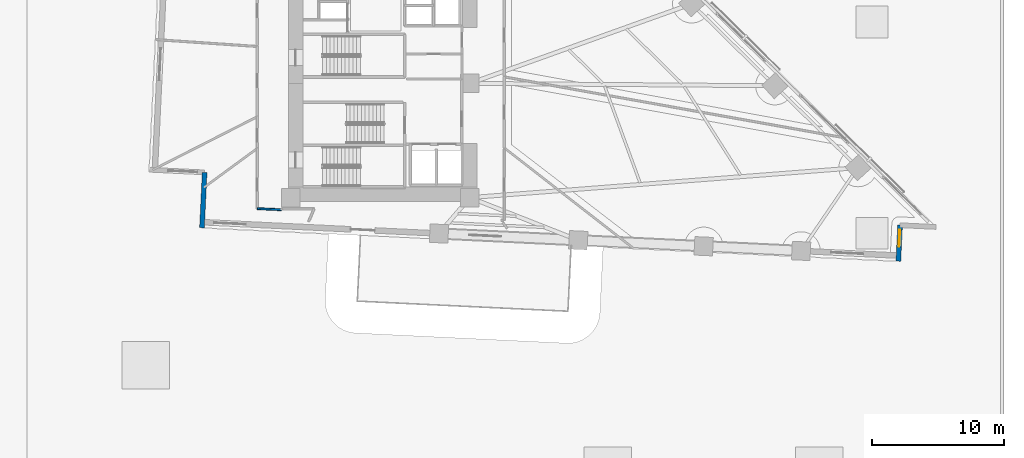
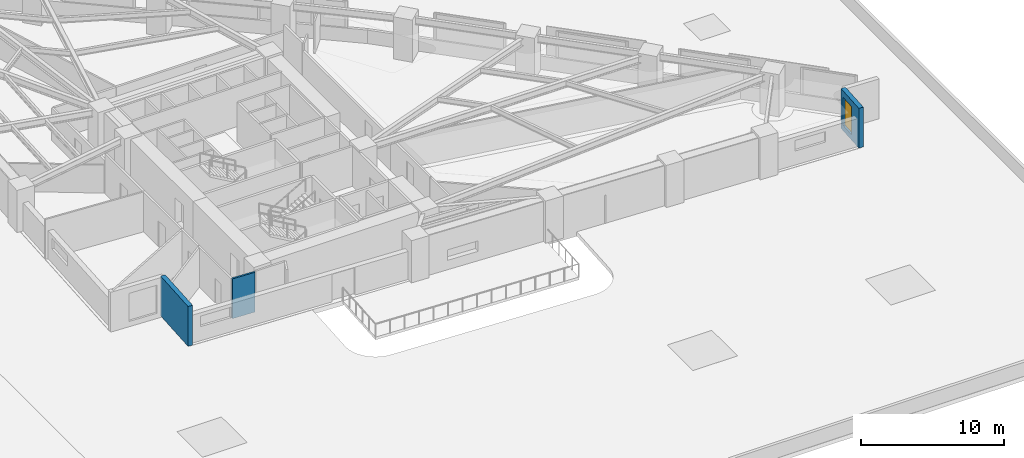
# One storey, part 13 of 19: 3 walls, 1 window, 1 opening.
"""IFC4 building model written with IfcOpenShell, lengths in metres."""

from ifc_helpers import new_model, si_unit, direction, frame, frame_2d, origin, place, context, subcontext, project, spatial, rectangle, extrude, material, layer, layer_set, type_object, element, fill, save


model = new_model("IFC4")

# Units and contexts
model_context = context("Model", 3, precision=1e-05, world=origin(), true_north=direction((0.0, 1.0)))
body_context = subcontext(model_context, "Body", "Model", "MODEL_VIEW")
ifc_project = project(units=[si_unit("LENGTHUNIT", "METRE"), si_unit("AREAUNIT", "SQUARE_METRE"), si_unit("VOLUMEUNIT", "CUBIC_METRE"), si_unit("PLANEANGLEUNIT", "RADIAN"), si_unit("MASSUNIT", "GRAM", prefix="KILO")], contexts=[model_context])

# Site, building, storey
site_placement = place(None, origin())
site = spatial("IfcSite", under=ifc_project, at=site_placement, CompositionType="ELEMENT")
building_placement = place(site_placement, origin())
building = spatial("IfcBuilding", under=site, at=building_placement, Name="Narakoshi Arena Tower", CompositionType="ELEMENT")
storey_placement = place(building_placement, frame((0.0, 0.0, 26.699951171875)))
storey = spatial("IfcBuildingStorey", under=building, at=storey_placement, Name="L06", CompositionType="ELEMENT", Elevation=26.699951171875)

# Wall, opening, window
ifc_material_1 = material(Name="Precast concrete C45/55", Category="concrete")
ifc_layer_1 = layer(ifc_material_1, 0.419921875)
ifc_layer_set_1 = layer_set([ifc_layer_1], Name="Precast concrete C45/55")
wall_type_1 = type_object("IfcWallType", Name="WL-POD-420", PredefinedType="SOLIDWALL", material=ifc_layer_set_1)
wall_1_placement = place(storey_placement, frame((117.99951171875, 29.8828125, 0.0), z_axis=(0.0, 0.0, 1.0), x_axis=(0.048024030708, 0.998846180588, 0.0)))
wall_1 = element("IfcWall", 1, at=wall_1_placement, inside=storey, type_object=wall_type_1, Name="L06 Re-Entrant Corner Notch Wall NTE-1", PredefinedType="SOLIDWALL", context=body_context, shape_type="SweptSolid", body=[
    extrude(rectangle(XDim=2.72998046875, YDim=0.360107421875, at=frame_2d((1.364990234375, 0.0))), origin(), (0.0, 0.0, 1.0), 3.400146484375),
])
opening_placement = place(wall_1_placement, frame((1.090087890625, 0.0, 0.449951171875)))
opening = element("IfcOpeningElement", 2, at=opening_placement, cuts=wall_1, Name="Opening WN-06", PredefinedType="OPENING", context=body_context, shape_type="SweptSolid", body=[
    extrude(rectangle(XDim=1.300048828125, YDim=2.39990234375, at=frame_2d((0.64990234375, 1.199951171875))), frame((0.0, 0.18994140625, 0.0), z_axis=(0.0, -1.0, 0.0), x_axis=(1.0, 0.0, 0.0)), (0.0, 0.0, 1.0), 0.380126953125),
])
ifc_material_2 = material(Name="Bronze-tinted low-E laminated glass", Category="glass")
window_type = type_object("IfcWindowType", Name="WIN-NTC-16x24", PartitioningType="SINGLE_PANEL", PredefinedType="WINDOW", material=ifc_material_2)
window_placement = place(opening_placement, origin())
window = element("IfcWindow", 3, at=window_placement, inside=storey, type_object=window_type, Name="L06 Corner Notch Window NTE", OverallHeight=2.39990234375, OverallWidth=1.300048828125, PartitioningType="SINGLE_PANEL", PredefinedType="WINDOW", context=body_context, shape_type="SweptSolid", body=[
    extrude(rectangle(XDim=1.300048828125, YDim=2.39990234375, at=frame_2d((0.64990234375, 1.199951171875))), frame((0.0, 0.030029296875, 0.0), z_axis=(0.0, -1.0, 0.0), x_axis=(1.0, 0.0, 0.0)), (0.0, 0.0, 1.0), 0.06005859375),
])
fill(opening, window)

# Walls
wall_2_placement = place(storey_placement, frame((65.4619140625, 36.611083984375, 0.0), z_axis=(0.0, 0.0, 1.0), x_axis=(-0.048015322758, -0.998846599224, 0.0)))
element("IfcWall", 4, at=wall_2_placement, inside=storey, type_object=wall_type_1, Name="L06 Re-Entrant Corner Notch Wall NTA-2", PredefinedType="SOLIDWALL", context=body_context, shape_type="SweptSolid", body=[
    extrude(rectangle(XDim=4.199951171875, YDim=0.360107421875, at=frame_2d((2.10009765625, 0.0))), origin(), (0.0, 0.0, 1.0), 3.400146484375),
])
ifc_material_3 = material(Name="Moisture-resistant cement-board partition")
ifc_layer_2 = layer(ifc_material_3, 0.14501953125)
ifc_layer_set_2 = layer_set([ifc_layer_2], Name="Moisture-resistant cement-board partition")
wall_type_2 = type_object("IfcWallType", Name="WL-WET-145", PredefinedType="PARTITIONING", material=ifc_layer_set_2)
wall_3_placement = place(storey_placement, frame((69.449951171875, 33.86669921875, 0.0), z_axis=(0.0, 0.0, 1.0), x_axis=(0.998849363928, -0.047957774967, 0.0)))
element("IfcWall", 5, at=wall_3_placement, inside=storey, type_object=wall_type_2, Name="L06 Corridor Partition 01-2", PredefinedType="PARTITIONING", context=body_context, shape_type="SweptSolid", body=[
    extrude(rectangle(XDim=1.802001953125, YDim=0.14501953125, at=frame_2d((0.90087890625, 0.0))), origin(), (0.0, 0.0, 1.0), 3.400146484375),
])

save(model, "model.ifc")
